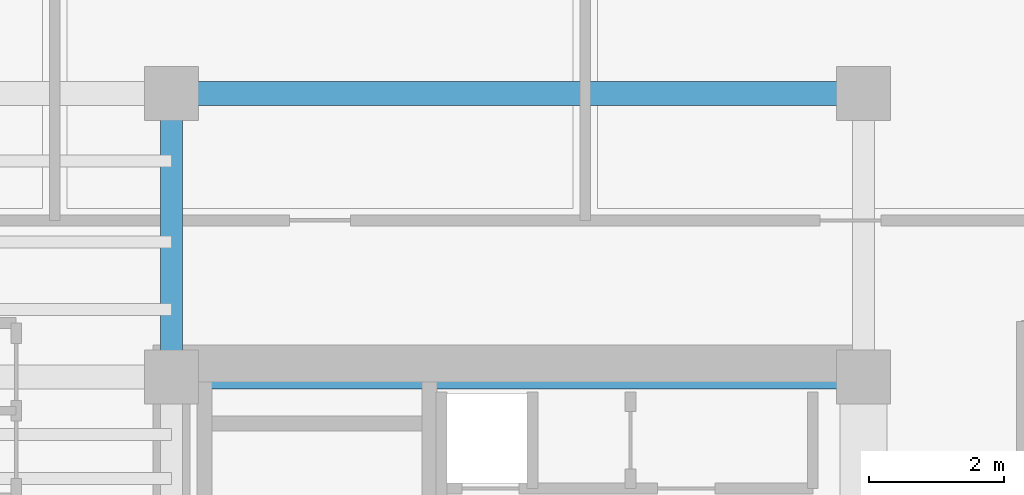
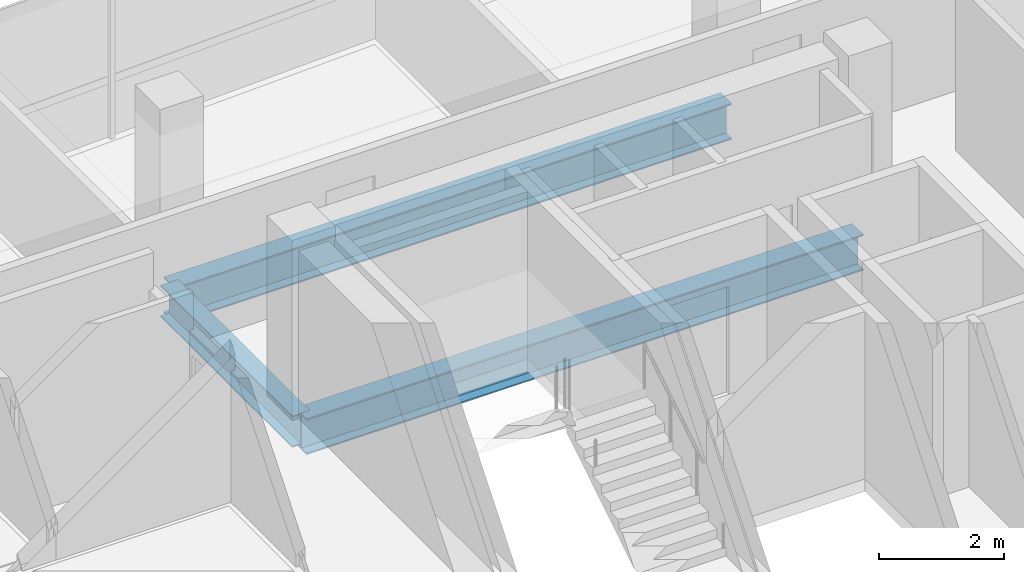
# One storey, part 9 of 21: 3 beams.
"""IFC4 building model written with IfcOpenShell, lengths in metres."""

from ifc_helpers import new_model, si_unit, direction, frame, origin, origin_2d, place, context, subcontext, project, spatial, i_section, extrude, source, transform, mapped, material, material_profile, profile_set, type_object, element, save


model = new_model("IFC4")

# Units and contexts
model_context = context("Model", 3, precision=1e-05, world=origin(), true_north=direction((0.0, 1.0)))
body_context = subcontext(model_context, "Body", "Model", "MODEL_VIEW")
ifc_project = project(units=[si_unit("LENGTHUNIT", "METRE"), si_unit("AREAUNIT", "SQUARE_METRE"), si_unit("VOLUMEUNIT", "CUBIC_METRE"), si_unit("PLANEANGLEUNIT", "RADIAN"), si_unit("MASSUNIT", "GRAM", prefix="KILO")], contexts=[model_context])

# Site, building, storey
site_placement = place(None, origin())
site = spatial("IfcSite", under=ifc_project, at=site_placement, CompositionType="ELEMENT")
building_placement = place(site_placement, origin())
building = spatial("IfcBuilding", under=site, at=building_placement, Name="Valdorenza Pilgrim Sanctuary Tower", CompositionType="ELEMENT")
storey_placement = place(building_placement, frame((0.0, 0.0, 254.5)))
storey = spatial("IfcBuildingStorey", under=building, at=storey_placement, Name="L66", CompositionType="ELEMENT", Elevation=254.5)

# Beams
ifc_material = material(Name="Steel ASTM A992 Grade 50", Category="steel")
ifc_material_profile_1 = material_profile(ifc_material, i_section(OverallWidth=0.323974609375, OverallDepth=0.611083984375, WebThickness=0.0126953125, FlangeThickness=0.01904296875, at=origin_2d()), Name="W24X104")
ifc_profile_set_1 = profile_set([ifc_material_profile_1], Name="Steel ASTM A992 Grade 50")
beam_type_1 = type_object("IfcBeamType", Name="STR-BM-GRD-W24B", PredefinedType="BEAM", material=ifc_profile_set_1)
shared_shape_1 = source(origin(), body_context, "Body", "SweptSolid", [
    extrude(i_section(OverallWidth=0.323974609375, OverallDepth=0.611083984375, WebThickness=0.0126953125, FlangeThickness=0.01904296875, at=origin_2d()), origin(), (0.0, 0.0, 1.0), 4.199951171875),
])
beam_placement = place(storey_placement, frame((-22.64990234375, 10.60009765625, -0.54541015625), z_axis=(0.0, 1.0, 0.0), x_axis=(-1.0, 0.0, 0.0)))
element("IfcBeam", 1, at=beam_placement, inside=storey, type_object=beam_type_1, Name="L66 Core Tie Girder CA-W-N1N2", PredefinedType="BEAM", context=body_context, shape_type="MappedRepresentation", body=[
    mapped(shared_shape_1, transform((0.0, 0.0, 0.0), x_axis=(1.0, 0.0, 0.0), y_axis=(0.0, 1.0, 0.0), z_axis=(0.0, 0.0, 1.0), scale=1.0)),
])
ifc_material_profile_2 = material_profile(ifc_material, i_section(OverallWidth=0.35595703125, OverallDepth=0.700927734375, WebThickness=0.016845703125, FlangeThickness=0.02734375, at=origin_2d()), Name="W27X161")
ifc_profile_set_2 = profile_set([ifc_material_profile_2], Name="Steel ASTM A992 Grade 50")
beam_type_2 = type_object("IfcBeamType", Name="STR-BM-GRD-W27", PredefinedType="BEAM", material=ifc_profile_set_2)
shared_shape_2 = source(origin(), body_context, "Body", "SweptSolid", [
    extrude(i_section(OverallWidth=0.35595703125, OverallDepth=0.700927734375, WebThickness=0.016845703125, FlangeThickness=0.02734375, at=origin_2d()), origin(), (0.0, 0.0, 1.0), 10.25),
])
for number, where, z_axis, x_axis, name in (
    (2, (-22.64990234375, 10.60009765625, -0.590576171875), (1.0, 0.0, 0.0), (0.0, 1.0, 0.0), "L66 Floor Girder CA-XC-N1"),
    (3, (-22.64990234375, 14.800048828125, -0.590576171875), (1.0, 0.0, 0.0), (0.0, 1.0, 0.0), "L66 Floor Girder CA-XC-N2"),
):
    element("IfcBeam", number, at=place(storey_placement, frame(where, z_axis=z_axis, x_axis=x_axis)), inside=storey, type_object=beam_type_2, Name=name, PredefinedType="BEAM", context=body_context, shape_type="MappedRepresentation", body=[
        mapped(shared_shape_2, transform((0.0, 0.0, 0.0), x_axis=(1.0, 0.0, 0.0), y_axis=(0.0, 1.0, 0.0), z_axis=(0.0, 0.0, 1.0), scale=1.0)),
    ])

save(model, "model.ifc")
